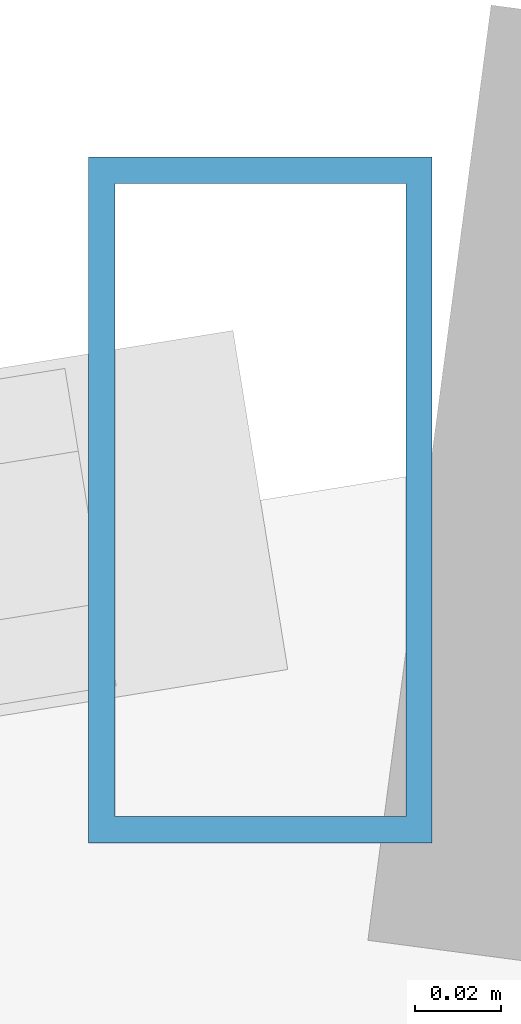
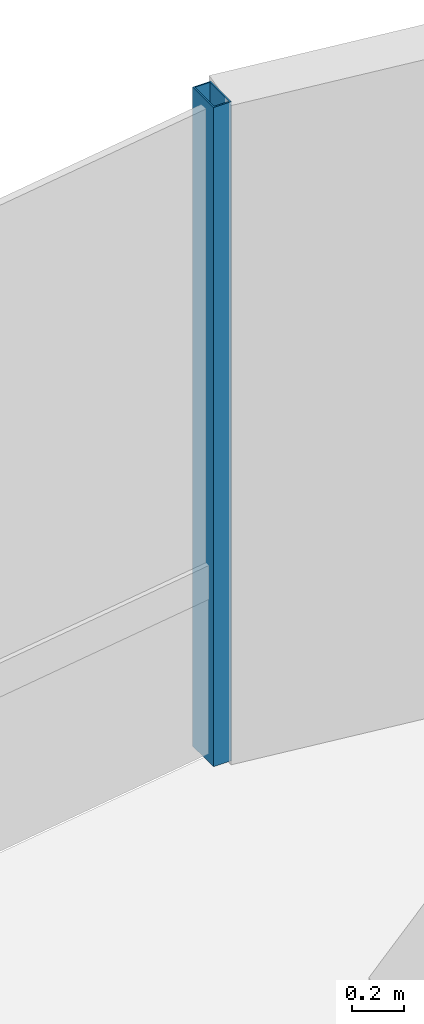
# One storey, part 16 of 22: 1 member, 1 element without a shape of its own.
"""IFC4 building model written with IfcOpenShell, lengths in metres."""

from ifc_helpers import new_model, si_unit, direction, frame, origin, origin_2d, place, context, subcontext, project, spatial, hollow_rectangle, extrude, source, transform, mapped, material, material_profile, profile_set, type_object, element, aggregate, save


model = new_model("IFC4")

# Units and contexts
model_context = context("Model", 3, precision=1e-05, world=origin(), true_north=direction((0.0, 1.0)))
body_context = subcontext(model_context, "Body", "Model", "MODEL_VIEW")
ifc_project = project(units=[si_unit("LENGTHUNIT", "METRE"), si_unit("AREAUNIT", "SQUARE_METRE"), si_unit("VOLUMEUNIT", "CUBIC_METRE"), si_unit("PLANEANGLEUNIT", "RADIAN"), si_unit("MASSUNIT", "GRAM", prefix="KILO")], contexts=[model_context])

# Site, building, storey
site_placement = place(None, origin())
site = spatial("IfcSite", under=ifc_project, at=site_placement, CompositionType="ELEMENT")
building_placement = place(site_placement, origin())
building = spatial("IfcBuilding", under=site, at=building_placement, Name="Sahyath Konkavel Grand Hotel", CompositionType="ELEMENT")
storey_placement = place(building_placement, frame((0.0, 0.0, 257.89990234375)))
storey = spatial("IfcBuildingStorey", under=building, at=storey_placement, Name="L72", CompositionType="ELEMENT", Elevation=257.89990234375)

# Curtain wall, member
ifc_material_1 = material(Name="Anodised Bronze Aluminium & Low-E Glazing", Category="aluminium")
curtain_wall_type = type_object("IfcCurtainWallType", Name="CW-ZONE4", PredefinedType="NOTDEFINED", material=ifc_material_1)
curtain_wall_placement = place(storey_placement, origin())
curtain_wall = element("IfcCurtainWall", 1, at=curtain_wall_placement, inside=storey, type_object=curtain_wall_type, Name="L72 Unitised Curtain Wall F12", PredefinedType="NOTDEFINED")
ifc_material_2 = material(Name="Anodised Bronze Aluminium", Category="aluminium")
ifc_material_profile = material_profile(ifc_material_2, hollow_rectangle(XDim=0.080078125, YDim=0.159912109375, WallThickness=0.006103515625, at=origin_2d()), Name="RHS 160x80x6")
ifc_profile_set = profile_set([ifc_material_profile], Name="Anodised Bronze Aluminium")
member_type = type_object("IfcMemberType", Name="CW-MUL-160", PredefinedType="MULLION", material=ifc_profile_set)
shared_shape = source(origin(), body_context, "Body", "SweptSolid", [
    extrude(hollow_rectangle(XDim=0.080078125, YDim=0.159912109375, WallThickness=0.006103515625, at=origin_2d()), origin(), (0.0, 0.0, 1.0), 3.110107421875),
])
member_placement = place(storey_placement, frame((1.0888671875, 20.1533203125, 0.0), z_axis=(0.0, 0.0, 1.0), x_axis=(1.0, 0.0, 0.0)))
member = element("IfcMember", 2, at=member_placement, type_object=member_type, Name="L72 Curtain Wall Mullion F12-0", PredefinedType="MULLION", context=body_context, shape_type="MappedRepresentation", body=[
    mapped(shared_shape, transform((0.0, 0.0, 0.0), scale=1.0)),
])
aggregate(curtain_wall, [member])

save(model, "model.ifc")
